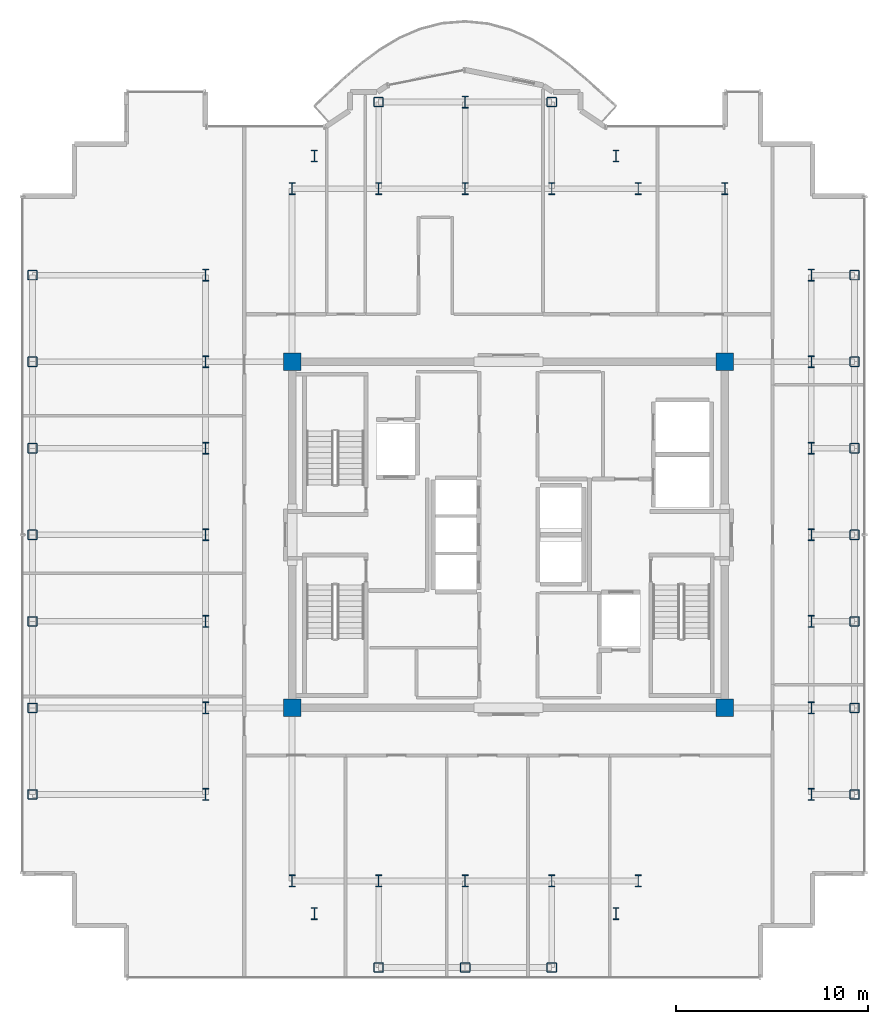
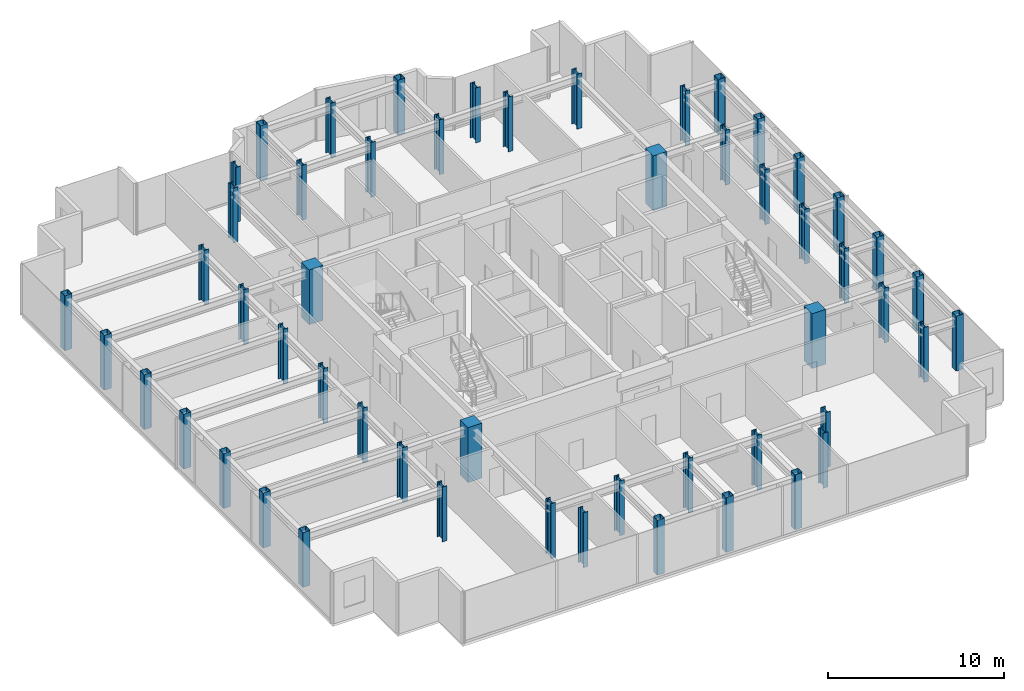
# One storey, part 1 of 18: 53 columns.
"""IFC4 building model written with IfcOpenShell, lengths in metres."""

from ifc_helpers import new_model, si_unit, direction, frame, origin, origin_2d, place, context, subcontext, project, spatial, rectangle, hollow_rectangle, i_section, extrude, source, transform, mapped, material, material_profile, profile_set, type_object, element, save


model = new_model("IFC4")

# Units and contexts
model_context = context("Model", 3, precision=1e-05, world=origin(), true_north=direction((0.0, 1.0)))
body_context = subcontext(model_context, "Body", "Model", "MODEL_VIEW")
ifc_project = project(units=[si_unit("LENGTHUNIT", "METRE"), si_unit("AREAUNIT", "SQUARE_METRE"), si_unit("VOLUMEUNIT", "CUBIC_METRE"), si_unit("PLANEANGLEUNIT", "RADIAN"), si_unit("MASSUNIT", "GRAM", prefix="KILO")], contexts=[model_context])

# Site, building, storey
site_placement = place(None, origin())
site = spatial("IfcSite", under=ifc_project, at=site_placement, CompositionType="ELEMENT")
building_placement = place(site_placement, origin())
building = spatial("IfcBuilding", under=site, at=building_placement, Name="Nefas-Gora Pilgrimage Tower", CompositionType="ELEMENT")
storey_placement = place(building_placement, frame((0.0, 0.0, 326.199951171875)))
storey = spatial("IfcBuildingStorey", under=building, at=storey_placement, Name="L82", CompositionType="ELEMENT", Elevation=326.199951171875)

# Columns
ifc_material_1 = material(Name="Steel S355", Category="steel")
ifc_material_profile_1 = material_profile(ifc_material_1, i_section(OverallWidth=0.304931640625, OverallDepth=0.6201171875, WebThickness=0.02099609375, FlangeThickness=0.0400390625, FilletRadius=0.027099609375, at=origin_2d()), Name="HEM 600")
ifc_profile_set_1 = profile_set([ifc_material_profile_1], Name="Steel S355")
column_type_1 = type_object("IfcColumnType", Name="COL-WEB-HEM600", PredefinedType="COLUMN", material=ifc_profile_set_1)
shared_shape_1 = source(origin(), body_context, "Body", "SweptSolid", [
    extrude(i_section(OverallWidth=0.304931640625, OverallDepth=0.6201171875, WebThickness=0.02099609375, FlangeThickness=0.0400390625, FilletRadius=0.027099609375, at=origin_2d()), origin(), (0.0, 0.0, 1.0), 3.800048828125),
])
for number, where, z_axis, x_axis, name in (
    (1, (-15.75, -13.5, 0.0), (0.0, 0.0, 1.0), (1.0, 0.0, 0.0), "L82 Tower Column CW-03.8"),
    (2, (-15.75, -9.0, 0.0), (0.0, 0.0, 1.0), (1.0, 0.0, 0.0), "L82 Tower Column CW-03.9"),
    (3, (-15.75, -4.5, 0.0), (0.0, 0.0, 1.0), (1.0, 0.0, 0.0), "L82 Tower Column CW-03.10"),
    (4, (-15.75, 0.0, 0.0), (0.0, 0.0, 1.0), (1.0, 0.0, 0.0), "L82 Tower Column CW-03.11"),
    (5, (-15.75, 4.5, 0.0), (0.0, 0.0, 1.0), (1.0, 0.0, 0.0), "L82 Tower Column CW-03.12"),
    (6, (-15.75, 9.0, 0.0), (0.0, 0.0, 1.0), (1.0, 0.0, 0.0), "L82 Tower Column CW-03.13"),
    (7, (-15.75, 13.5, 0.0), (0.0, 0.0, 1.0), (1.0, 0.0, 0.0), "L82 Tower Column CW-03.14"),
    (8, (-11.25, -18.0, 0.0), (0.0, 0.0, 1.0), (1.0, 0.0, 0.0), "L82 Tower Column CW-03.15"),
    (9, (-11.25, 18.0, 0.0), (0.0, 0.0, 1.0), (1.0, 0.0, 0.0), "L82 Tower Column CW-03.18"),
    (10, (-10.091064453125, -19.696044921875, 0.0), (0.0, 0.0, 1.0), (1.0, 0.0, 0.0), "L82 Tower Column CW-03.19"),
    (11, (-10.091064453125, 19.696044921875, 0.0), (0.0, 0.0, 1.0), (1.0, 0.0, 0.0), "L82 Tower Column CW-03.20"),
    (12, (-6.75, -18.0, 0.0), (0.0, 0.0, 1.0), (1.0, 0.0, 0.0), "L82 Tower Column CW-03.22"),
    (13, (-6.75, 18.0, 0.0), (0.0, 0.0, 1.0), (1.0, 0.0, 0.0), "L82 Tower Column CW-03.23"),
    (14, (-2.25, -18.0, 0.0), (0.0, 0.0, 1.0), (1.0, 0.0, 0.0), "L82 Tower Column CW-03.26"),
    (15, (-2.25, 18.0, 0.0), (0.0, 0.0, 1.0), (1.0, 0.0, 0.0), "L82 Tower Column CW-03.27"),
    (16, (-2.25, 22.5, 0.0), (0.0, 0.0, 1.0), (1.0, 0.0, 0.0), "L82 Tower Column CW-03.28"),
    (17, (2.25, -18.0, 0.0), (0.0, 0.0, 1.0), (1.0, 0.0, 0.0), "L82 Tower Column CW-03.30"),
    (18, (2.25, 18.0, 0.0), (0.0, 0.0, 1.0), (1.0, 0.0, 0.0), "L82 Tower Column CW-03.31"),
    (19, (5.591064453125, -19.696044921875, 0.0), (0.0, 0.0, 1.0), (1.0, 0.0, 0.0), "L82 Tower Column CW-03.33"),
    (20, (5.591064453125, 19.696044921875, 0.0), (0.0, 0.0, 1.0), (1.0, 0.0, 0.0), "L82 Tower Column CW-03.34"),
    (21, (6.75, -18.0, 0.0), (0.0, 0.0, 1.0), (1.0, 0.0, 0.0), "L82 Tower Column CW-03.35"),
    (22, (6.75, 18.0, 0.0), (0.0, 0.0, 1.0), (1.0, 0.0, 0.0), "L82 Tower Column CW-03.36"),
    (23, (11.25, 18.0, 0.0), (0.0, 0.0, 1.0), (1.0, 0.0, 0.0), "L82 Tower Column CW-03.39"),
    (24, (15.75, -13.5, 0.0), (0.0, 0.0, 1.0), (1.0, 0.0, 0.0), "L82 Tower Column CW-03.40"),
    (25, (15.75, -9.0, 0.0), (0.0, 0.0, 1.0), (1.0, 0.0, 0.0), "L82 Tower Column CW-03.41"),
    (26, (15.75, -4.5, 0.0), (0.0, 0.0, 1.0), (1.0, 0.0, 0.0), "L82 Tower Column CW-03.42"),
    (27, (15.75, 0.0, 0.0), (0.0, 0.0, 1.0), (1.0, 0.0, 0.0), "L82 Tower Column CW-03.43"),
    (28, (15.75, 4.5, 0.0), (0.0, 0.0, 1.0), (1.0, 0.0, 0.0), "L82 Tower Column CW-03.44"),
    (29, (15.75, 9.0, 0.0), (0.0, 0.0, 1.0), (1.0, 0.0, 0.0), "L82 Tower Column CW-03.45"),
    (30, (15.75, 13.5, 0.0), (0.0, 0.0, 1.0), (1.0, 0.0, 0.0), "L82 Tower Column CW-03.46"),
):
    element("IfcColumn", number, at=place(storey_placement, frame(where, z_axis=z_axis, x_axis=x_axis)), inside=storey, type_object=column_type_1, Name=name, PredefinedType="COLUMN", context=body_context, shape_type="MappedRepresentation", body=[
        mapped(shared_shape_1, transform((0.0, 0.0, 0.0), x_axis=(1.0, 0.0, 0.0), y_axis=(0.0, 1.0, 0.0), z_axis=(0.0, 0.0, 1.0), scale=1.0)),
    ])
ifc_material_profile_2 = material_profile(ifc_material_1, hollow_rectangle(XDim=0.5, YDim=0.5, WallThickness=0.02490234375, InnerFilletRadius=0.02490234375, OuterFilletRadius=0.050048828125, at=origin_2d()), Name="SHS 500x500x25")
ifc_profile_set_2 = profile_set([ifc_material_profile_2], Name="Steel S355")
column_type_2 = type_object("IfcColumnType", Name="COL-TUBE-500", PredefinedType="COLUMN", material=ifc_profile_set_2)
shared_shape_2 = source(origin(), body_context, "Body", "SweptSolid", [
    extrude(hollow_rectangle(XDim=0.5, YDim=0.5, WallThickness=0.02490234375, InnerFilletRadius=0.02490234375, OuterFilletRadius=0.050048828125, at=origin_2d()), origin(), (0.0, 0.0, 1.0), 3.800048828125),
])
for number, where, z_axis, x_axis, name in (
    (31, (-24.75, -13.5, 0.0), (0.0, 0.0, 1.0), (1.0, 0.0, 0.0), "L82 Tower Column C-Z4.1"),
    (32, (-24.75, -9.0, 0.0), (0.0, 0.0, 1.0), (1.0, 0.0, 0.0), "L82 Tower Column C-Z4.2"),
    (33, (-24.75, -4.5, 0.0), (0.0, 0.0, 1.0), (1.0, 0.0, 0.0), "L82 Tower Column C-Z4.3"),
    (34, (-24.75, 0.0, 0.0), (0.0, 0.0, 1.0), (1.0, 0.0, 0.0), "L82 Tower Column C-Z4.4"),
    (35, (-24.75, 4.5, 0.0), (0.0, 0.0, 1.0), (1.0, 0.0, 0.0), "L82 Tower Column C-Z4.5"),
    (36, (-24.75, 9.0, 0.0), (0.0, 0.0, 1.0), (1.0, 0.0, 0.0), "L82 Tower Column C-Z4.6"),
    (37, (-24.75, 13.5, 0.0), (0.0, 0.0, 1.0), (1.0, 0.0, 0.0), "L82 Tower Column C-Z4.7"),
    (38, (-6.75, -22.5, 0.0), (0.0, 0.0, 1.0), (1.0, 0.0, 0.0), "L82 Tower Column C-Z4.21"),
    (39, (-6.75, 22.5, 0.0), (0.0, 0.0, 1.0), (1.0, 0.0, 0.0), "L82 Tower Column C-Z4.24"),
    (40, (-2.25, -22.5, 0.0), (0.0, 0.0, 1.0), (1.0, 0.0, 0.0), "L82 Tower Column C-Z4.25"),
    (41, (2.25, -22.5, 0.0), (0.0, 0.0, 1.0), (1.0, 0.0, 0.0), "L82 Tower Column C-Z4.29"),
    (42, (2.25, 22.5, 0.0), (0.0, 0.0, 1.0), (1.0, 0.0, 0.0), "L82 Tower Column C-Z4.32"),
    (43, (18.0, -13.5, 0.0), (0.0, 0.0, 1.0), (1.0, 0.0, 0.0), "L82 Tower Column C-Z4.47"),
    (44, (18.0, -9.0, 0.0), (0.0, 0.0, 1.0), (1.0, 0.0, 0.0), "L82 Tower Column C-Z4.48"),
    (45, (18.0, -4.5, 0.0), (0.0, 0.0, 1.0), (1.0, 0.0, 0.0), "L82 Tower Column C-Z4.49"),
    (46, (18.0, 0.0, 0.0), (0.0, 0.0, 1.0), (1.0, 0.0, 0.0), "L82 Tower Column C-Z4.50"),
    (47, (18.0, 4.5, 0.0), (0.0, 0.0, 1.0), (1.0, 0.0, 0.0), "L82 Tower Column C-Z4.51"),
    (48, (18.0, 9.0, 0.0), (0.0, 0.0, 1.0), (1.0, 0.0, 0.0), "L82 Tower Column C-Z4.52"),
    (49, (18.0, 13.5, 0.0), (0.0, 0.0, 1.0), (1.0, 0.0, 0.0), "L82 Tower Column C-Z4.53"),
):
    element("IfcColumn", number, at=place(storey_placement, frame(where, z_axis=z_axis, x_axis=x_axis)), inside=storey, type_object=column_type_2, Name=name, PredefinedType="COLUMN", context=body_context, shape_type="MappedRepresentation", body=[
        mapped(shared_shape_2, transform((0.0, 0.0, 0.0), x_axis=(1.0, 0.0, 0.0), y_axis=(0.0, 1.0, 0.0), z_axis=(0.0, 0.0, 1.0), scale=1.0)),
    ])
ifc_material_2 = material(Name="Concrete C50/60", Category="concrete")
ifc_material_profile_3 = material_profile(ifc_material_2, rectangle(XDim=0.89990234375, YDim=0.89990234375, at=origin_2d()), Name="RC 900x900")
ifc_profile_set_3 = profile_set([ifc_material_profile_3], Name="Concrete C50/60")
column_type_3 = type_object("IfcColumnType", Name="COL-RC-900", PredefinedType="COLUMN", material=ifc_profile_set_3)
shared_shape_3 = source(origin(), body_context, "Body", "SweptSolid", [
    extrude(rectangle(XDim=0.89990234375, YDim=0.89990234375, at=origin_2d()), origin(), (0.0, 0.0, 1.0), 3.800048828125),
])
for number, where, z_axis, x_axis, name in (
    (50, (-11.25, -9.0, 0.0), (0.0, 0.0, 1.0), (1.0, 0.0, 0.0), "L82 Tower Column CRC-02.16"),
    (51, (-11.25, 9.0, 0.0), (0.0, 0.0, 1.0), (1.0, 0.0, 0.0), "L82 Tower Column CRC-02.17"),
    (52, (11.25, -9.0, 0.0), (0.0, 0.0, 1.0), (1.0, 0.0, 0.0), "L82 Tower Column CRC-02.37"),
    (53, (11.25, 9.0, 0.0), (0.0, 0.0, 1.0), (1.0, 0.0, 0.0), "L82 Tower Column CRC-02.38"),
):
    element("IfcColumn", number, at=place(storey_placement, frame(where, z_axis=z_axis, x_axis=x_axis)), inside=storey, type_object=column_type_3, Name=name, PredefinedType="COLUMN", context=body_context, shape_type="MappedRepresentation", body=[
        mapped(shared_shape_3, transform((0.0, 0.0, 0.0), x_axis=(1.0, 0.0, 0.0), y_axis=(0.0, 1.0, 0.0), z_axis=(0.0, 0.0, 1.0), scale=1.0)),
    ])

save(model, "model.ifc")
